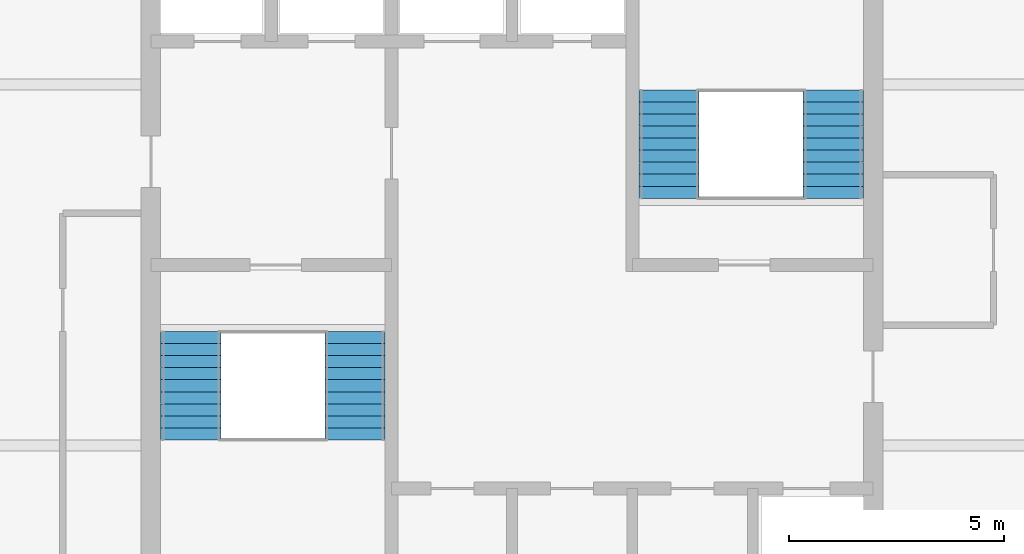
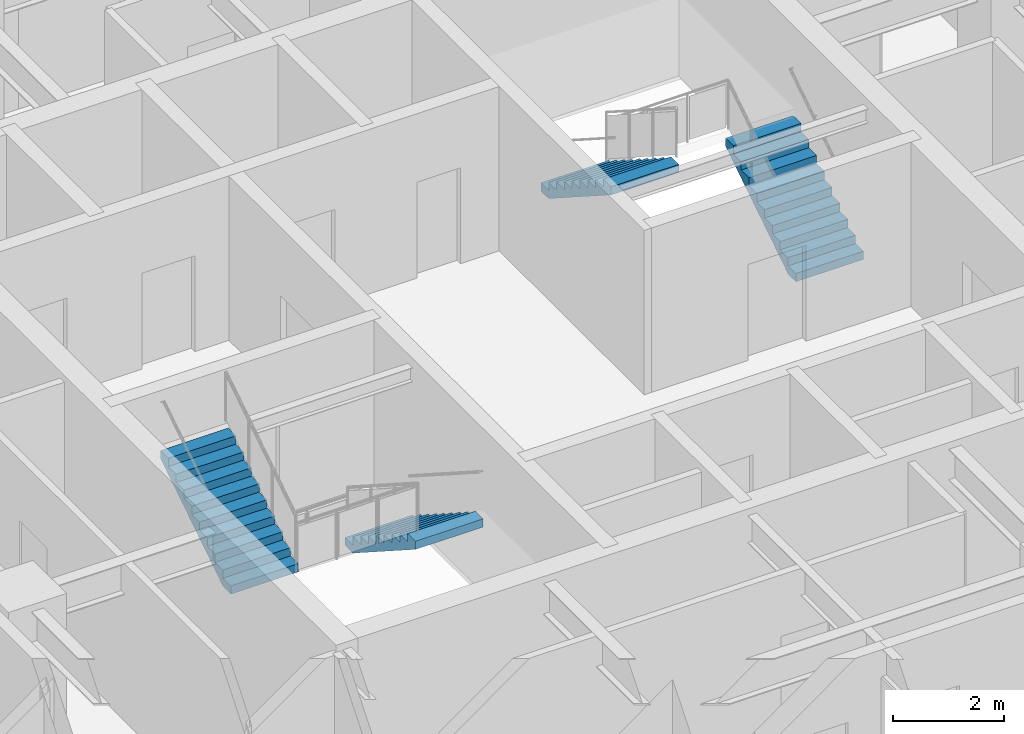
# One storey, part 9 of 10: 4 stair flights, 2 elements without a shape of their own.
"""IFC4 building model written with IfcOpenShell, lengths in metres."""

from ifc_helpers import new_model, si_unit, direction, frame, origin, place, context, subcontext, project, spatial, polyline, outline, extrude, material, type_object, element, aggregate, save


model = new_model("IFC4")

# Units and contexts
model_context = context("Model", 3, precision=1e-05, world=origin(), true_north=direction((0.0, 1.0)))
body_context = subcontext(model_context, "Body", "Model", "MODEL_VIEW")
ifc_project = project(units=[si_unit("LENGTHUNIT", "METRE"), si_unit("AREAUNIT", "SQUARE_METRE"), si_unit("VOLUMEUNIT", "CUBIC_METRE"), si_unit("PLANEANGLEUNIT", "RADIAN"), si_unit("MASSUNIT", "GRAM", prefix="KILO")], contexts=[model_context])

# Site, building, storey
site_placement = place(None, origin())
site = spatial("IfcSite", under=ifc_project, at=site_placement, CompositionType="ELEMENT")
building_placement = place(site_placement, origin())
building = spatial("IfcBuilding", under=site, at=building_placement, Name="Torre Alcanfor", CompositionType="ELEMENT")
storey_placement = place(building_placement, frame((0.0, 0.0, 261.300048828125)))
storey = spatial("IfcBuildingStorey", under=building, at=storey_placement, Name="L68", CompositionType="ELEMENT", Elevation=261.300048828125)

# Stair, stair flights
ifc_material_1 = material(Name="Concrete f'c 35 MPa", Category="concrete")
stair_type_1 = type_object("IfcStairType", Name="Exit stair S1 1400 wide", PredefinedType="HALF_TURN_STAIR", material=ifc_material_1)
stair_1_placement = place(storey_placement, origin())
stair_1 = element("IfcStair", 1, at=stair_1_placement, inside=storey, type_object=stair_type_1, Name="Stair S1 L68 to L69", PredefinedType="HALF_TURN_STAIR")
ifc_material_2 = material(Name="Concrete f'c 35 MPa", Category="concrete")
stair_flight_type = type_object("IfcStairFlightType", Name="Stair flight 1400", PredefinedType="STRAIGHT", material=ifc_material_2)
stair_flight_1_placement = place(storey_placement, frame((25.75, 27.85009765625, 0.0), z_axis=(0.0, 0.0, 1.0), x_axis=(0.0, -1.0, 0.0)))
stair_flight_1 = element("IfcStairFlight", 2, at=stair_flight_1_placement, type_object=stair_flight_type, Name="S1 flight 1", NumberOfRisers=10, NumberOfTreads=9, PredefinedType="STRAIGHT", RiserHeight=0.18, TreadLength=0.28, context=body_context, shape_type="SweptSolid", body=[
    extrude(outline(polyline([(0.0, 0.0), (0.0, 0.179931640625), (0.280029296875, 0.179931640625), (0.280029296875, 0.360107421875), (0.56005859375, 0.360107421875), (0.56005859375, 0.5400390625), (0.840087890625, 0.5400390625), (0.840087890625, 0.719970703125), (1.1201171875, 0.719970703125), (1.1201171875, 0.89990234375), (1.39990234375, 0.89990234375), (1.39990234375, 1.080078125), (1.679931640625, 1.080078125), (1.679931640625, 1.260009765625), (1.9599609375, 1.260009765625), (1.9599609375, 1.43994140625), (2.239990234375, 1.43994140625), (2.239990234375, 1.6201171875), (2.52001953125, 1.6201171875), (2.52001953125, 1.800048828125), (2.52001953125, 1.44189453125), (0.277099609375, 0.0), (0.0, 0.0)])), frame((0.0, 0.699951171875, 0.0), z_axis=(0.0, -1.0, 0.0), x_axis=(1.0, 0.0, 0.0)), (0.0, 0.0, 1.0), 1.39990234375),
])
stair_flight_2_placement = place(storey_placement, frame((21.925048828125, 25.330078125, 1.800048828125), z_axis=(0.0, 0.0, 1.0), x_axis=(0.0, 1.0, 0.0)))
stair_flight_2 = element("IfcStairFlight", 3, at=stair_flight_2_placement, type_object=stair_flight_type, Name="S1 flight 2", NumberOfRisers=10, NumberOfTreads=9, PredefinedType="STRAIGHT", RiserHeight=0.18, TreadLength=0.28, context=body_context, shape_type="SweptSolid", body=[
    extrude(outline(polyline([(0.0, 0.0), (0.0, 0.179931640625), (0.280029296875, 0.179931640625), (0.280029296875, 0.360107421875), (0.56005859375, 0.360107421875), (0.56005859375, 0.5400390625), (0.840087890625, 0.5400390625), (0.840087890625, 0.719970703125), (1.1201171875, 0.719970703125), (1.1201171875, 0.89990234375), (1.39990234375, 0.89990234375), (1.39990234375, 1.080078125), (1.679931640625, 1.080078125), (1.679931640625, 1.260009765625), (1.9599609375, 1.260009765625), (1.9599609375, 1.43994140625), (2.239990234375, 1.43994140625), (2.239990234375, 1.6201171875), (2.52001953125, 1.6201171875), (2.52001953125, 1.800048828125), (2.52001953125, 1.44189453125), (0.277099609375, 0.0), (0.0, 0.0)])), frame((0.0, 0.699951171875, 0.0), z_axis=(0.0, -1.0, 0.0), x_axis=(1.0, 0.0, 0.0)), (0.0, 0.0, 1.0), 1.39990234375),
])
aggregate(stair_1, [stair_flight_1, stair_flight_2])

ifc_material_3 = material(Name="Concrete f'c 35 MPa", Category="concrete")
stair_type_2 = type_object("IfcStairType", Name="Exit stair S2 1400 wide", PredefinedType="HALF_TURN_STAIR", material=ifc_material_3)
stair_2_placement = place(storey_placement, origin())
stair_2 = element("IfcStair", 4, at=stair_2_placement, inside=storey, type_object=stair_type_2, Name="Stair S2 L68 to L69", PredefinedType="HALF_TURN_STAIR")
stair_flight_3_placement = place(storey_placement, frame((36.875, 30.949951171875, 0.0), z_axis=(0.0, 0.0, 1.0), x_axis=(0.0, 1.0, 0.0)))
stair_flight_3 = element("IfcStairFlight", 5, at=stair_flight_3_placement, type_object=stair_flight_type, Name="S2 flight 1", NumberOfRisers=10, NumberOfTreads=9, PredefinedType="STRAIGHT", RiserHeight=0.18, TreadLength=0.28, context=body_context, shape_type="SweptSolid", body=[
    extrude(outline(polyline([(0.0, 0.0), (0.0, 0.179931640625), (0.280029296875, 0.179931640625), (0.280029296875, 0.360107421875), (0.56005859375, 0.360107421875), (0.56005859375, 0.5400390625), (0.840087890625, 0.5400390625), (0.840087890625, 0.719970703125), (1.1201171875, 0.719970703125), (1.1201171875, 0.89990234375), (1.39990234375, 0.89990234375), (1.39990234375, 1.080078125), (1.679931640625, 1.080078125), (1.679931640625, 1.260009765625), (1.9599609375, 1.260009765625), (1.9599609375, 1.43994140625), (2.239990234375, 1.43994140625), (2.239990234375, 1.6201171875), (2.52001953125, 1.6201171875), (2.52001953125, 1.800048828125), (2.52001953125, 1.44189453125), (0.277099609375, 0.0), (0.0, 0.0)])), frame((0.0, 0.699951171875, 0.0), z_axis=(0.0, -1.0, 0.0), x_axis=(1.0, 0.0, 0.0)), (0.0, 0.0, 1.0), 1.39990234375),
])
stair_flight_4_placement = place(storey_placement, frame((33.050048828125, 33.469970703125, 1.800048828125), z_axis=(0.0, 0.0, 1.0), x_axis=(0.0, -1.0, 0.0)))
stair_flight_4 = element("IfcStairFlight", 6, at=stair_flight_4_placement, type_object=stair_flight_type, Name="S2 flight 2", NumberOfRisers=10, NumberOfTreads=9, PredefinedType="STRAIGHT", RiserHeight=0.18, TreadLength=0.28, context=body_context, shape_type="SweptSolid", body=[
    extrude(outline(polyline([(0.0, 0.0), (0.0, 0.179931640625), (0.280029296875, 0.179931640625), (0.280029296875, 0.360107421875), (0.56005859375, 0.360107421875), (0.56005859375, 0.5400390625), (0.840087890625, 0.5400390625), (0.840087890625, 0.719970703125), (1.1201171875, 0.719970703125), (1.1201171875, 0.89990234375), (1.39990234375, 0.89990234375), (1.39990234375, 1.080078125), (1.679931640625, 1.080078125), (1.679931640625, 1.260009765625), (1.9599609375, 1.260009765625), (1.9599609375, 1.43994140625), (2.239990234375, 1.43994140625), (2.239990234375, 1.6201171875), (2.52001953125, 1.6201171875), (2.52001953125, 1.800048828125), (2.52001953125, 1.44189453125), (0.277099609375, 0.0), (0.0, 0.0)])), frame((0.0, 0.699951171875, 0.0), z_axis=(0.0, -1.0, 0.0), x_axis=(1.0, 0.0, 0.0)), (0.0, 0.0, 1.0), 1.39990234375),
])
aggregate(stair_2, [stair_flight_3, stair_flight_4])

save(model, "model.ifc")
